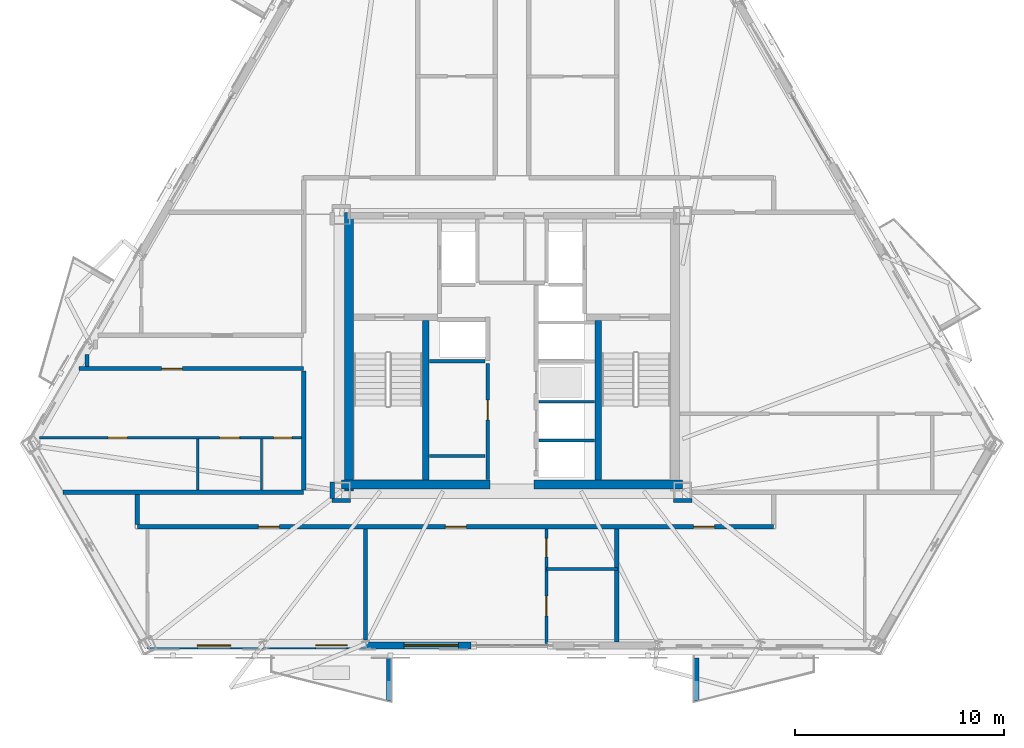
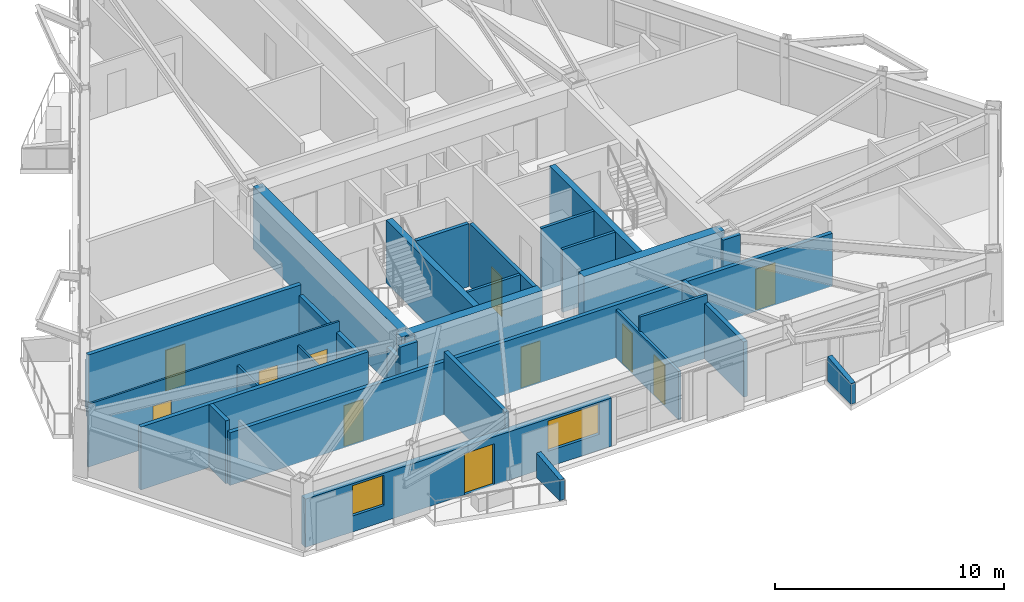
# One storey, part 9 of 16: 29 walls, 11 doors, 2 windows, 13 openings.
"""IFC4 building model written with IfcOpenShell, lengths in metres."""

from ifc_helpers import new_model, si_unit, direction, frame, frame_2d, origin, place, context, subcontext, project, spatial, polyline, rectangle, outline, extrude, material, layer, layer_set, type_object, element, fill, save


model = new_model("IFC4")

# Units and contexts
model_context = context("Model", 3, precision=1e-05, world=origin(), true_north=direction((0.0, 1.0)))
body_context = subcontext(model_context, "Body", "Model", "MODEL_VIEW")
ifc_project = project(units=[si_unit("LENGTHUNIT", "METRE"), si_unit("AREAUNIT", "SQUARE_METRE"), si_unit("VOLUMEUNIT", "CUBIC_METRE"), si_unit("PLANEANGLEUNIT", "RADIAN"), si_unit("MASSUNIT", "GRAM", prefix="KILO")], contexts=[model_context])

# Site, building, storey
site_placement = place(None, origin())
site = spatial("IfcSite", under=ifc_project, at=site_placement, CompositionType="ELEMENT")
building_placement = place(site_placement, origin())
building = spatial("IfcBuilding", under=site, at=building_placement, Name="Oramaril Tower", CompositionType="ELEMENT")
storey_placement = place(building_placement, frame((0.0, 0.0, 115.800048828125)))
storey = spatial("IfcBuildingStorey", under=building, at=storey_placement, Name="L30", CompositionType="ELEMENT", Elevation=115.800048828125)

# Wall, openings, door, windows
ifc_material_1 = material(Name="Warm Cream Limestone", Category="masonry")
ifc_layer_1 = layer(ifc_material_1, 0.340087890625)
ifc_layer_set_1 = layer_set([ifc_layer_1], Name="WT-EXT34")
wall_type_1 = type_object("IfcWallType", Name="WT-EXT34", PredefinedType="SOLIDWALL", material=ifc_layer_set_1)
wall_1_placement = place(storey_placement, frame((20.0869140625, 3.62939453125, 0.0), z_axis=(0.0, 0.0, 1.0), x_axis=(1.0, 0.0, 0.0)))
wall_1 = element("IfcWall", 1, at=wall_1_placement, inside=storey, type_object=wall_type_1, Name="L30 Tower Limestone Facade Wall 2L", PredefinedType="SOLIDWALL", context=body_context, shape_type="SweptSolid", body=[
    extrude(rectangle(XDim=15.463134765625, YDim=0.340087890625, at=frame_2d((7.7314453125, 0.0))), origin(), (0.0, 0.0, 1.0), 2.577880859375),
])
opening_1_placement = place(wall_1_placement, frame((8.034423828125, 0.0, 0.0)))
opening_1 = element("IfcOpeningElement", 2, at=opening_1_placement, cuts=wall_1, Name="Opening D-L30-BAL-S1", PredefinedType="OPENING", context=body_context, shape_type="SweptSolid", body=[
    extrude(rectangle(XDim=1.5, YDim=2.199951171875, at=frame_2d((0.75, 1.10009765625))), frame((0.0, 0.169921875, 0.0), z_axis=(0.0, -1.0, 0.0), x_axis=(1.0, 0.0, 0.0)), (0.0, 0.0, 1.0), 0.340087890625),
])
opening_2_placement = place(wall_1_placement, frame((2.37890625, 0.0, 0.85009765625)))
opening_2 = element("IfcOpeningElement", 3, at=opening_2_placement, cuts=wall_1, Name="Opening WN-07", PredefinedType="OPENING", context=body_context, shape_type="SweptSolid", body=[
    extrude(rectangle(XDim=1.60009765625, YDim=1.617919921875, at=frame_2d((0.800048828125, 0.80908203125))), frame((0.0, 0.169921875, 0.0), z_axis=(0.0, -1.0, 0.0), x_axis=(1.0, 0.0, 0.0)), (0.0, 0.0, 1.0), 0.340087890625),
])
opening_3_placement = place(wall_1_placement, frame((12.254638671875, 0.0, 0.85009765625)))
opening_3 = element("IfcOpeningElement", 4, at=opening_3_placement, cuts=wall_1, Name="Opening WN-02", PredefinedType="OPENING", context=body_context, shape_type="SweptSolid", body=[
    extrude(rectangle(XDim=2.60009765625, YDim=1.617919921875, at=frame_2d((1.300048828125, 0.80908203125))), frame((0.0, 0.169921875, 0.0), z_axis=(0.0, -1.0, 0.0), x_axis=(1.0, 0.0, 0.0)), (0.0, 0.0, 1.0), 0.340087890625),
])
ifc_material_2 = material(Name="Anodised Aluminium 6063-T6", Category="aluminium")
door_type_1 = type_object("IfcDoorType", Name="DT-BAL", OperationType="NOTDEFINED", PredefinedType="DOOR", material=ifc_material_2)
door_1_placement = place(opening_1_placement, origin())
door_1 = element("IfcDoor", 5, at=door_1_placement, inside=storey, type_object=door_type_1, Name="L30 Balcony Glazed Door L30-BAL-S1", OperationType="SINGLE_SWING_LEFT", OverallHeight=2.199951171875, OverallWidth=1.5, PredefinedType="DOOR", context=body_context, shape_type="SweptSolid", body=[
    extrude(rectangle(XDim=1.5, YDim=2.199951171875, at=frame_2d((0.75, 1.10009765625))), frame((0.0, 0.02490234375, 0.0), z_axis=(0.0, -1.0, 0.0), x_axis=(1.0, 0.0, 0.0)), (0.0, 0.0, 1.0), 0.050048828125),
])
fill(opening_1, door_1)
ifc_material_3 = material(Name="Coastal Low-E Insulated Glass", Category="glass")
window_type_1 = type_object("IfcWindowType", Name="WNT-02", PartitioningType="SINGLE_PANEL", PredefinedType="WINDOW", material=ifc_material_3)
window_1_placement = place(opening_3_placement, origin())
window_1 = element("IfcWindow", 6, at=window_1_placement, inside=storey, type_object=window_type_1, Name="L30 Chicago Bay Window WN-02", OverallHeight=1.617919921875, OverallWidth=2.60009765625, PartitioningType="SINGLE_PANEL", PredefinedType="WINDOW", context=body_context, shape_type="SweptSolid", body=[
    extrude(rectangle(XDim=2.60009765625, YDim=1.617919921875, at=frame_2d((1.300048828125, 0.80908203125))), frame((0.0, 0.030029296875, 0.0), z_axis=(0.0, -1.0, 0.0), x_axis=(1.0, 0.0, 0.0)), (0.0, 0.0, 1.0), 0.06005859375),
])
fill(opening_3, window_1)
ifc_material_4 = material(Name="Coastal Low-E Insulated Glass", Category="glass")
window_type_2 = type_object("IfcWindowType", Name="WNT-07", PartitioningType="SINGLE_PANEL", PredefinedType="WINDOW", material=ifc_material_4)
window_2_placement = place(opening_2_placement, origin())
window_2 = element("IfcWindow", 7, at=window_2_placement, inside=storey, type_object=window_type_2, Name="L30 Chicago Bay Window WN-07", OverallHeight=1.617919921875, OverallWidth=1.60009765625, PartitioningType="SINGLE_PANEL", PredefinedType="WINDOW", context=body_context, shape_type="SweptSolid", body=[
    extrude(rectangle(XDim=1.60009765625, YDim=1.617919921875, at=frame_2d((0.800048828125, 0.80908203125))), frame((0.0, 0.030029296875, 0.0), z_axis=(0.0, -1.0, 0.0), x_axis=(1.0, 0.0, 0.0)), (0.0, 0.0, 1.0), 0.06005859375),
])
fill(opening_2, window_2)

# Walls
ifc_material_5 = material(Name="Concrete C40/50", Category="concrete")
ifc_layer_2 = layer(ifc_material_5, 0.22998046875)
ifc_layer_set_2 = layer_set([ifc_layer_2], Name="WT-PRP23")
wall_type_2 = type_object("IfcWallType", Name="WT-PRP23", PredefinedType="PARAPET", material=ifc_layer_set_2)
for number, where, z_axis, x_axis, name in (
    (8, (31.6162109375, 3.03125, 0.0), (0.0, 0.0, 1.0), (0.0, -1.0, 0.0), "L30 Trapezoidal Balcony Frame Cheek L30-BAL-S1-R"),
    (9, (46.30859375, 3.03125, 0.0), (0.0, 0.0, 1.0), (0.0, -1.0, 0.0), "L30 Trapezoidal Balcony Frame Cheek L30-BAL-S2-L"),
):
    element("IfcWall", number, at=place(storey_placement, frame(where, z_axis=z_axis, x_axis=x_axis)), inside=storey, type_object=wall_type_2, Name=name, PredefinedType="PARAPET", context=body_context, shape_type="SweptSolid", body=[
        extrude(outline(polyline([(0.0, 0.0), (2.0419921875, 0.0), (2.0419921875, 1.099853515625), (0.0, 1.320068359375), (0.0, 0.0)])), frame((0.0, 0.114990234375, 0.0), z_axis=(0.0, -1.0, 0.0), x_axis=(1.0, 0.0, 0.0)), (0.0, 0.0, 1.0), 0.22998046875),
    ])

# Wall, openings, doors
ifc_material_6 = material(Name="Acoustic Gypsum Board Partition")
ifc_layer_3 = layer(ifc_material_6, 0.10009765625)
ifc_layer_set_3 = layer_set([ifc_layer_3], Name="WT-PT10")
wall_type_3 = type_object("IfcWallType", Name="WT-PT10", PredefinedType="PARTITIONING", material=ifc_layer_set_3)
wall_2_placement = place(storey_placement, frame((14.92138671875, 13.550048828125, 0.0), z_axis=(0.0, 0.0, 1.0), x_axis=(1.0, 0.0, 0.0)))
wall_2 = element("IfcWall", 10, at=wall_2_placement, inside=storey, type_object=wall_type_3, Name="L30 Interior Partition PT-10", PredefinedType="PARTITIONING", context=body_context, shape_type="SweptSolid", body=[
    extrude(rectangle(XDim=12.6787109375, YDim=0.10009765625, at=frame_2d((6.33935546875, 0.0))), origin(), (0.0, 0.0, 1.0), 3.35986328125),
])
opening_4_placement = place(wall_2_placement, frame((3.2822265625, 0.0, 0.0)))
opening_4 = element("IfcOpeningElement", 11, at=opening_4_placement, cuts=wall_2, Name="Opening D-L30-04", PredefinedType="OPENING", context=body_context, shape_type="SweptSolid", body=[
    extrude(rectangle(XDim=0.919921875, YDim=2.1201171875, at=frame_2d((0.4599609375, 1.06005859375))), frame((0.0, 0.050048828125, 0.0), z_axis=(0.0, -1.0, 0.0), x_axis=(1.0, 0.0, 0.0)), (0.0, 0.0, 1.0), 0.10009765625),
])
opening_5_placement = place(wall_2_placement, frame((8.615234375, 0.0, 0.0)))
opening_5 = element("IfcOpeningElement", 12, at=opening_5_placement, cuts=wall_2, Name="Opening D-L30-05", PredefinedType="OPENING", context=body_context, shape_type="SweptSolid", body=[
    extrude(rectangle(XDim=0.949951171875, YDim=2.10009765625, at=frame_2d((0.47509765625, 1.050048828125))), frame((0.0, 0.050048828125, 0.0), z_axis=(0.0, -1.0, 0.0), x_axis=(1.0, 0.0, 0.0)), (0.0, 0.0, 1.0), 0.10009765625),
])
opening_6_placement = place(wall_2_placement, frame((11.197021484375, 0.0, 0.0)))
opening_6 = element("IfcOpeningElement", 13, at=opening_6_placement, cuts=wall_2, Name="Opening D-L30-06", PredefinedType="OPENING", context=body_context, shape_type="SweptSolid", body=[
    extrude(rectangle(XDim=0.8798828125, YDim=2.080078125, at=frame_2d((0.43994140625, 1.0400390625))), frame((0.0, 0.050048828125, 0.0), z_axis=(0.0, -1.0, 0.0), x_axis=(1.0, 0.0, 0.0)), (0.0, 0.0, 1.0), 0.10009765625),
])
ifc_material_7 = material(Name="FSC Brazilian Freijo Hardwood", Category="wood")
door_type_2 = type_object("IfcDoorType", Name="DT-BATH", OperationType="NOTDEFINED", PredefinedType="DOOR", material=ifc_material_7)
door_2_placement = place(opening_6_placement, origin())
door_2 = element("IfcDoor", 14, at=door_2_placement, inside=storey, type_object=door_type_2, Name="L30 Flat L30-U4 Bathroom Door D-L30-06", OperationType="SINGLE_SWING_RIGHT", OverallHeight=2.080078125, OverallWidth=0.8798828125, PredefinedType="DOOR", context=body_context, shape_type="SweptSolid", body=[
    extrude(rectangle(XDim=0.8798828125, YDim=2.080078125, at=frame_2d((0.43994140625, 1.0400390625))), frame((0.0, 0.02490234375, 0.0), z_axis=(0.0, -1.0, 0.0), x_axis=(1.0, 0.0, 0.0)), (0.0, 0.0, 1.0), 0.050048828125),
])
fill(opening_6, door_2)
ifc_material_8 = material(Name="FSC Brazilian Freijo Hardwood", Category="wood")
door_type_3 = type_object("IfcDoorType", Name="DT-BED", OperationType="NOTDEFINED", PredefinedType="DOOR", material=ifc_material_8)
door_3_placement = place(opening_4_placement, origin())
door_3 = element("IfcDoor", 15, at=door_3_placement, inside=storey, type_object=door_type_3, Name="L30 Flat L30-U4 Master Bedroom Door D-L30-04", OperationType="SINGLE_SWING_RIGHT", OverallHeight=2.1201171875, OverallWidth=0.919921875, PredefinedType="DOOR", context=body_context, shape_type="SweptSolid", body=[
    extrude(rectangle(XDim=0.919921875, YDim=2.1201171875, at=frame_2d((0.4599609375, 1.06005859375))), frame((0.0, 0.02490234375, 0.0), z_axis=(0.0, -1.0, 0.0), x_axis=(1.0, 0.0, 0.0)), (0.0, 0.0, 1.0), 0.050048828125),
])
fill(opening_4, door_3)
ifc_material_9 = material(Name="FSC Brazilian Freijo Hardwood", Category="wood")
door_type_4 = type_object("IfcDoorType", Name="DT-STDY", OperationType="NOTDEFINED", PredefinedType="DOOR", material=ifc_material_9)
door_4_placement = place(opening_5_placement, origin())
door_4 = element("IfcDoor", 16, at=door_4_placement, inside=storey, type_object=door_type_4, Name="L30 Flat L30-U4 Kitchen Door D-L30-05", OperationType="SINGLE_SWING_LEFT", OverallHeight=2.10009765625, OverallWidth=0.949951171875, PredefinedType="DOOR", context=body_context, shape_type="SweptSolid", body=[
    extrude(rectangle(XDim=0.949951171875, YDim=2.10009765625, at=frame_2d((0.47509765625, 1.050048828125))), frame((0.0, 0.02490234375, 0.0), z_axis=(0.0, -1.0, 0.0), x_axis=(1.0, 0.0, 0.0)), (0.0, 0.0, 1.0), 0.050048828125),
])
fill(opening_5, door_4)

# Walls
wall_3_placement = place(storey_placement, frame((25.5400390625, 11.053955078125, 0.0), z_axis=(0.0, 0.0, 1.0), x_axis=(0.0, 1.0, 0.0)))
element("IfcWall", 17, at=wall_3_placement, inside=storey, type_object=wall_type_3, Name="L30 Interior Partition PT-10", PredefinedType="PARTITIONING", context=body_context, shape_type="SweptSolid", body=[
    extrude(rectangle(XDim=2.442138671875, YDim=0.10009765625, at=frame_2d((1.22119140625, 0.0))), origin(), (0.0, 0.0, 1.0), 2.81396484375),
])
ifc_material_10 = material(Name="Acoustic Gypsum Board Partition")
ifc_layer_4 = layer(ifc_material_10, 0.1201171875)
ifc_layer_set_4 = layer_set([ifc_layer_4], Name="WT-PT12")
wall_type_4 = type_object("IfcWallType", Name="WT-PT12", PredefinedType="PARTITIONING", material=ifc_layer_set_4)
wall_4_placement = place(storey_placement, frame((22.489990234375, 11.053955078125, 0.0), z_axis=(0.0, 0.0, 1.0), x_axis=(0.0, 1.0, 0.0)))
element("IfcWall", 18, at=wall_4_placement, inside=storey, type_object=wall_type_4, Name="L30 Interior Partition PT-12", PredefinedType="PARTITIONING", context=body_context, shape_type="SweptSolid", body=[
    extrude(rectangle(XDim=2.442138671875, YDim=0.1201171875, at=frame_2d((1.22119140625, 0.0))), origin(), (0.0, 0.0, 1.0), 2.81396484375),
])
ifc_material_11 = material(Name="Acoustic Gypsum Board Partition")
ifc_layer_5 = layer(ifc_material_11, 0.139892578125)
ifc_layer_set_5 = layer_set([ifc_layer_5], Name="WT-PT14")
wall_type_5 = type_object("IfcWallType", Name="WT-PT14", PredefinedType="PARTITIONING", material=ifc_layer_set_5)
for number, where, z_axis, x_axis, name in (
    (19, (33.56005859375, 12.679931640625, 0.0), (0.0, 0.0, 1.0), (1.0, 0.0, 0.0), "L30 Freed Shaft South Closure"),
    (20, (38.780029296875, 13.419921875, 0.0), (0.0, 0.0, 1.0), (1.0, 0.0, 0.0), "L30 East Lift Divider"),
    (21, (38.780029296875, 15.27001953125, 0.0), (0.0, 0.0, 1.0), (1.0, 0.0, 0.0), "L30 East Lift Divider"),
):
    element("IfcWall", number, at=place(storey_placement, frame(where, z_axis=z_axis, x_axis=x_axis)), inside=storey, type_object=wall_type_5, Name=name, PredefinedType="PARTITIONING", context=body_context, shape_type="SweptSolid", body=[
        extrude(rectangle(XDim=2.659912109375, YDim=0.139892578125, at=frame_2d((1.330078125, 0.0))), origin(), (0.0, 0.0, 1.0), 3.35986328125),
    ])
wall_5_placement = place(storey_placement, frame((39.139892578125, 7.27001953125, 0.0), z_axis=(0.0, 0.0, 1.0), x_axis=(1.0, 0.0, 0.0)))
element("IfcWall", 22, at=wall_5_placement, inside=storey, type_object=wall_type_5, Name="L30 Interior Partition PT-14", PredefinedType="PARTITIONING", context=body_context, shape_type="SweptSolid", body=[
    extrude(rectangle(XDim=3.41015625, YDim=0.139892578125, at=frame_2d((1.705078125, 0.0))), origin(), (0.0, 0.0, 1.0), 3.35986328125),
])

# Wall, openings, doors
wall_6_placement = place(storey_placement, frame((39.139892578125, 3.723388671875, 0.0), z_axis=(0.0, 0.0, 1.0), x_axis=(0.0, 1.0, 0.0)))
wall_6 = element("IfcWall", 23, at=wall_6_placement, inside=storey, type_object=wall_type_5, Name="L30 Interior Partition PT-14", PredefinedType="PARTITIONING", context=body_context, shape_type="SweptSolid", body=[
    extrude(rectangle(XDim=5.47265625, YDim=0.139892578125, at=frame_2d((2.736328125, 0.0))), origin(), (0.0, 0.0, 1.0), 2.577880859375),
])
opening_7_placement = place(wall_6_placement, frame((1.3125, 0.0, 0.0)))
opening_7 = element("IfcOpeningElement", 24, at=opening_7_placement, cuts=wall_6, Name="Opening D-L30-24", PredefinedType="OPENING", context=body_context, shape_type="SweptSolid", body=[
    extrude(rectangle(XDim=0.949951171875, YDim=2.10009765625, at=frame_2d((0.47509765625, 1.050048828125))), frame((0.0, 0.06982421875, 0.0), z_axis=(0.0, -1.0, 0.0), x_axis=(1.0, 0.0, 0.0)), (0.0, 0.0, 1.0), 0.139892578125),
])
opening_8_placement = place(wall_6_placement, frame((4.1376953125, 0.0, 0.0)))
opening_8 = element("IfcOpeningElement", 25, at=opening_8_placement, cuts=wall_6, Name="Opening D-L30-25", PredefinedType="OPENING", context=body_context, shape_type="SweptSolid", body=[
    extrude(rectangle(XDim=0.8798828125, YDim=2.080078125, at=frame_2d((0.43994140625, 1.0400390625))), frame((0.0, 0.06982421875, 0.0), z_axis=(0.0, -1.0, 0.0), x_axis=(1.0, 0.0, 0.0)), (0.0, 0.0, 1.0), 0.139892578125),
])
door_5_placement = place(opening_8_placement, origin())
door_5 = element("IfcDoor", 26, at=door_5_placement, inside=storey, type_object=door_type_2, Name="L30 Flat L30-U2 Bathroom Door D-L30-25", OperationType="SINGLE_SWING_LEFT", OverallHeight=2.080078125, OverallWidth=0.8798828125, PredefinedType="DOOR", context=body_context, shape_type="SweptSolid", body=[
    extrude(rectangle(XDim=0.8798828125, YDim=2.080078125, at=frame_2d((0.43994140625, 1.0400390625))), frame((0.0, 0.02490234375, 0.0), z_axis=(0.0, -1.0, 0.0), x_axis=(1.0, 0.0, 0.0)), (0.0, 0.0, 1.0), 0.050048828125),
])
fill(opening_8, door_5)
door_6_placement = place(opening_7_placement, origin())
door_6 = element("IfcDoor", 27, at=door_6_placement, inside=storey, type_object=door_type_4, Name="L30 Flat L30-U2 Kitchen Door D-L30-24", OperationType="SINGLE_SWING_RIGHT", OverallHeight=2.10009765625, OverallWidth=0.949951171875, PredefinedType="DOOR", context=body_context, shape_type="SweptSolid", body=[
    extrude(rectangle(XDim=0.949951171875, YDim=2.10009765625, at=frame_2d((0.47509765625, 1.050048828125))), frame((0.0, 0.02490234375, 0.0), z_axis=(0.0, -1.0, 0.0), x_axis=(1.0, 0.0, 0.0)), (0.0, 0.0, 1.0), 0.050048828125),
])
fill(opening_7, door_6)

# Wall
ifc_material_12 = material(Name="Autoclaved Cellular Concrete Block", Category="concrete")
ifc_layer_6 = layer(ifc_material_12, 0.179931640625)
ifc_layer_set_6 = layer_set([ifc_layer_6], Name="WT-PT18")
wall_type_6 = type_object("IfcWallType", Name="WT-PT18", PredefinedType="PARTITIONING", material=ifc_layer_set_6)
wall_7_placement = place(storey_placement, frame((33.56005859375, 17.199951171875, 0.0), z_axis=(0.0, 0.0, 1.0), x_axis=(1.0, 0.0, 0.0)))
element("IfcWall", 28, at=wall_7_placement, inside=storey, type_object=wall_type_6, Name="L30 High-Rise Lift H1 South Wall", PredefinedType="PARTITIONING", context=body_context, shape_type="SweptSolid", body=[
    extrude(rectangle(XDim=2.659912109375, YDim=0.179931640625, at=frame_2d((1.330078125, 0.0))), origin(), (0.0, 0.0, 1.0), 3.35986328125),
])

# Wall, opening, door
wall_8_placement = place(storey_placement, frame((36.340087890625, 11.550048828125, 0.0), z_axis=(0.0, 0.0, 1.0), x_axis=(0.0, 1.0, 0.0)))
wall_8 = element("IfcWall", 29, at=wall_8_placement, inside=storey, type_object=wall_type_6, Name="L30 Freed Shaft Study East Wall", PredefinedType="PARTITIONING", context=body_context, shape_type="SweptSolid", body=[
    extrude(rectangle(XDim=5.550048828125, YDim=0.179931640625, at=frame_2d((2.77490234375, 0.0))), origin(), (0.0, 0.0, 1.0), 3.35986328125),
])
opening_9_placement = place(wall_8_placement, frame((2.85009765625, 0.0, 0.0)))
opening_9 = element("IfcOpeningElement", 30, at=opening_9_placement, cuts=wall_8, Name="Opening D-L30-FL1", PredefinedType="OPENING", context=body_context, shape_type="SweptSolid", body=[
    extrude(rectangle(XDim=0.949951171875, YDim=2.10009765625, at=frame_2d((0.47509765625, 1.050048828125))), frame((0.0, 0.08984375, 0.0), z_axis=(0.0, -1.0, 0.0), x_axis=(1.0, 0.0, 0.0)), (0.0, 0.0, 1.0), 0.179931640625),
])
door_7_placement = place(opening_9_placement, origin())
door_7 = element("IfcDoor", 31, at=door_7_placement, inside=storey, type_object=door_type_4, Name="L30 L30 Residents Library Study Door", OperationType="SINGLE_SWING_LEFT", OverallHeight=2.10009765625, OverallWidth=0.949951171875, PredefinedType="DOOR", context=body_context, shape_type="SweptSolid", body=[
    extrude(rectangle(XDim=0.949951171875, YDim=2.10009765625, at=frame_2d((0.47509765625, 1.050048828125))), frame((0.0, 0.02490234375, 0.0), z_axis=(0.0, -1.0, 0.0), x_axis=(1.0, 0.0, 0.0)), (0.0, 0.0, 1.0), 0.050048828125),
])
fill(opening_9, door_7)

# Wall, openings, doors
ifc_material_13 = material(Name="Autoclaved Cellular Concrete Block", Category="concrete")
ifc_layer_7 = layer(ifc_material_13, 0.199951171875)
ifc_layer_set_7 = layer_set([ifc_layer_7], Name="WT-PT20")
wall_type_7 = type_object("IfcWallType", Name="WT-PT20", PredefinedType="PARTITIONING", material=ifc_layer_set_7)
wall_9_placement = place(storey_placement, frame((19.60009765625, 9.300048828125, 0.0), z_axis=(0.0, 0.0, 1.0), x_axis=(1.0, 0.0, 0.0)))
wall_9 = element("IfcWall", 32, at=wall_9_placement, inside=storey, type_object=wall_type_7, Name="L30 Interior Partition PT-20", PredefinedType="PARTITIONING", context=body_context, shape_type="SweptSolid", body=[
    extrude(rectangle(XDim=30.39990234375, YDim=0.199951171875, at=frame_2d((15.199951171875, 0.0))), origin(), (0.0, 0.0, 1.0), 2.81396484375),
])
opening_10_placement = place(wall_9_placement, frame((5.786865234375, 0.0, 0.0)))
opening_10 = element("IfcOpeningElement", 33, at=opening_10_placement, cuts=wall_9, Name="Opening D-L30-01", PredefinedType="OPENING", context=body_context, shape_type="SweptSolid", body=[
    extrude(rectangle(XDim=1.0, YDim=2.179931640625, at=frame_2d((0.5, 1.08984375))), frame((0.0, 0.10009765625, 0.0), z_axis=(0.0, -1.0, 0.0), x_axis=(1.0, 0.0, 0.0)), (0.0, 0.0, 1.0), 0.199951171875),
])
opening_11_placement = place(wall_9_placement, frame((14.719970703125, 0.0, 0.0)))
opening_11 = element("IfcOpeningElement", 34, at=opening_11_placement, cuts=wall_9, Name="Opening D-L30-02", PredefinedType="OPENING", context=body_context, shape_type="SweptSolid", body=[
    extrude(rectangle(XDim=1.0, YDim=2.179931640625, at=frame_2d((0.5, 1.08984375))), frame((0.0, 0.10009765625, 0.0), z_axis=(0.0, -1.0, 0.0), x_axis=(1.0, 0.0, 0.0)), (0.0, 0.0, 1.0), 0.199951171875),
])
opening_12_placement = place(wall_9_placement, frame((26.576416015625, 0.0, 0.0)))
opening_12 = element("IfcOpeningElement", 35, at=opening_12_placement, cuts=wall_9, Name="Opening D-L30-03", PredefinedType="OPENING", context=body_context, shape_type="SweptSolid", body=[
    extrude(rectangle(XDim=1.0, YDim=2.179931640625, at=frame_2d((0.5, 1.08984375))), frame((0.0, 0.10009765625, 0.0), z_axis=(0.0, -1.0, 0.0), x_axis=(1.0, 0.0, 0.0)), (0.0, 0.0, 1.0), 0.199951171875),
])
ifc_material_14 = material(Name="FSC Brazilian Freijo Hardwood", Category="wood")
door_type_5 = type_object("IfcDoorType", Name="DT-APT", OperationType="NOTDEFINED", PredefinedType="DOOR", material=ifc_material_14)
door_8_placement = place(opening_10_placement, origin())
door_8 = element("IfcDoor", 36, at=door_8_placement, inside=storey, type_object=door_type_5, Name="L30 Flat L30-U1 Kitchen and Studio Apartment Door D-L30-01", OperationType="SINGLE_SWING_LEFT", OverallHeight=2.179931640625, OverallWidth=1.0, PredefinedType="DOOR", context=body_context, shape_type="SweptSolid", body=[
    extrude(rectangle(XDim=1.0, YDim=2.179931640625, at=frame_2d((0.5, 1.08984375))), frame((0.0, 0.02490234375, 0.0), z_axis=(0.0, -1.0, 0.0), x_axis=(1.0, 0.0, 0.0)), (0.0, 0.0, 1.0), 0.050048828125),
])
fill(opening_10, door_8)
door_9_placement = place(opening_11_placement, origin())
door_9 = element("IfcDoor", 37, at=door_9_placement, inside=storey, type_object=door_type_5, Name="L30 Flat L30-U2 Studio Apartment Door D-L30-02", OperationType="SINGLE_SWING_RIGHT", OverallHeight=2.179931640625, OverallWidth=1.0, PredefinedType="DOOR", context=body_context, shape_type="SweptSolid", body=[
    extrude(rectangle(XDim=1.0, YDim=2.179931640625, at=frame_2d((0.5, 1.08984375))), frame((0.0, 0.02490234375, 0.0), z_axis=(0.0, -1.0, 0.0), x_axis=(1.0, 0.0, 0.0)), (0.0, 0.0, 1.0), 0.050048828125),
])
fill(opening_11, door_9)
door_10_placement = place(opening_12_placement, origin())
door_10 = element("IfcDoor", 38, at=door_10_placement, inside=storey, type_object=door_type_5, Name="L30 Flat L30-U3 Kitchen and Studio Apartment Door D-L30-03", OperationType="SINGLE_SWING_LEFT", OverallHeight=2.179931640625, OverallWidth=1.0, PredefinedType="DOOR", context=body_context, shape_type="SweptSolid", body=[
    extrude(rectangle(XDim=1.0, YDim=2.179931640625, at=frame_2d((0.5, 1.08984375))), frame((0.0, 0.02490234375, 0.0), z_axis=(0.0, -1.0, 0.0), x_axis=(1.0, 0.0, 0.0)), (0.0, 0.0, 1.0), 0.050048828125),
])
fill(opening_12, door_10)

# Walls
for number, where, z_axis, x_axis, name in (
    (39, (28.905029296875, 10.550048828125, 0.0), (0.0, 0.0, 1.0), (1.0, 0.0, 0.0), "L30 Interior Partition PT-20"),
    (40, (45.205078125, 10.550048828125, 0.0), (0.0, 0.0, 1.0), (1.0, 0.0, 0.0), "L30 Interior Partition PT-20"),
):
    element("IfcWall", number, at=place(storey_placement, frame(where, z_axis=z_axis, x_axis=x_axis)), inside=storey, type_object=wall_type_7, Name=name, PredefinedType="PARTITIONING", context=body_context, shape_type="SweptSolid", body=[
        extrude(rectangle(XDim=0.889892578125, YDim=0.199951171875, at=frame_2d((0.44482421875, 0.0))), origin(), (0.0, 0.0, 1.0), 3.35986328125),
    ])
wall_10_placement = place(storey_placement, frame((16.061279296875, 10.949951171875, 0.0), z_axis=(0.0, 0.0, 1.0), x_axis=(1.0, 0.0, 0.0)))
element("IfcWall", 41, at=wall_10_placement, inside=storey, type_object=wall_type_7, Name="L30 Interior Partition PT-20", PredefinedType="PARTITIONING", context=body_context, shape_type="SweptSolid", body=[
    extrude(rectangle(XDim=11.48876953125, YDim=0.199951171875, at=frame_2d((5.744384765625, 0.0))), origin(), (0.0, 0.0, 1.0), 3.35986328125),
])

# Wall, opening, door
wall_11_placement = place(storey_placement, frame((16.805908203125, 16.85009765625, 0.0), z_axis=(0.0, 0.0, 1.0), x_axis=(1.0, 0.0, 0.0)))
wall_11 = element("IfcWall", 42, at=wall_11_placement, inside=storey, type_object=wall_type_7, Name="L30 Interior Partition PT-20", PredefinedType="PARTITIONING", context=body_context, shape_type="SweptSolid", body=[
    extrude(rectangle(XDim=10.744140625, YDim=0.199951171875, at=frame_2d((5.3720703125, 0.0))), origin(), (0.0, 0.0, 1.0), 3.35986328125),
])
opening_13_placement = place(wall_11_placement, frame((3.9541015625, 0.0, 0.0)))
opening_13 = element("IfcOpeningElement", 43, at=opening_13_placement, cuts=wall_11, Name="Opening D-L30-10", PredefinedType="OPENING", context=body_context, shape_type="SweptSolid", body=[
    extrude(rectangle(XDim=1.0, YDim=2.179931640625, at=frame_2d((0.5, 1.08984375))), frame((0.0, 0.10009765625, 0.0), z_axis=(0.0, -1.0, 0.0), x_axis=(1.0, 0.0, 0.0)), (0.0, 0.0, 1.0), 0.199951171875),
])
door_11_placement = place(opening_13_placement, origin())
door_11 = element("IfcDoor", 44, at=door_11_placement, inside=storey, type_object=door_type_5, Name="L30 Flat L30-U4 Living and Dining Room Door D-L30-10", OperationType="SINGLE_SWING_RIGHT", OverallHeight=2.179931640625, OverallWidth=1.0, PredefinedType="DOOR", context=body_context, shape_type="SweptSolid", body=[
    extrude(rectangle(XDim=1.0, YDim=2.179931640625, at=frame_2d((0.5, 1.08984375))), frame((0.0, 0.02490234375, 0.0), z_axis=(0.0, -1.0, 0.0), x_axis=(1.0, 0.0, 0.0)), (0.0, 0.0, 1.0), 0.050048828125),
])
fill(opening_13, door_11)

# Walls
wall_12_placement = place(storey_placement, frame((17.199951171875, 16.9541015625, 0.0), z_axis=(0.0, 0.0, 1.0), x_axis=(0.0, 1.0, 0.0)))
element("IfcWall", 45, at=wall_12_placement, inside=storey, type_object=wall_type_7, Name="L30 Interior Partition PT-20", PredefinedType="PARTITIONING", context=body_context, shape_type="SweptSolid", body=[
    extrude(rectangle(XDim=0.57861328125, YDim=0.199951171875, at=frame_2d((0.289306640625, 0.0))), origin(), (0.0, 0.0, 1.0), 2.577880859375),
])
wall_13_placement = place(storey_placement, frame((19.60009765625, 9.404052734375, 0.0), z_axis=(0.0, 0.0, 1.0), x_axis=(0.0, 1.0, 0.0)))
element("IfcWall", 46, at=wall_13_placement, inside=storey, type_object=wall_type_7, Name="L30 Interior Partition PT-20", PredefinedType="PARTITIONING", context=body_context, shape_type="SweptSolid", body=[
    extrude(rectangle(XDim=1.44189453125, YDim=0.199951171875, at=frame_2d((0.720947265625, 0.0))), origin(), (0.0, 0.0, 1.0), 3.35986328125),
])
wall_14_placement = place(storey_placement, frame((27.550048828125, 11.053955078125, 0.0), z_axis=(0.0, 0.0, 1.0), x_axis=(0.0, 1.0, 0.0)))
element("IfcWall", 47, at=wall_14_placement, inside=storey, type_object=wall_type_7, Name="L30 Interior Partition PT-20", PredefinedType="PARTITIONING", context=body_context, shape_type="SweptSolid", body=[
    extrude(rectangle(XDim=5.692138671875, YDim=0.199951171875, at=frame_2d((2.84619140625, 0.0))), origin(), (0.0, 0.0, 1.0), 2.81396484375),
])
wall_15_placement = place(storey_placement, frame((28.909912109375, 10.654052734375, 0.0), z_axis=(0.0, 0.0, 1.0), x_axis=(0.0, 1.0, 0.0)))
element("IfcWall", 48, at=wall_15_placement, inside=storey, type_object=wall_type_7, Name="L30 Interior Partition PT-20", PredefinedType="PARTITIONING", context=body_context, shape_type="SweptSolid", body=[
    extrude(rectangle(XDim=0.785888671875, YDim=0.199951171875, at=frame_2d((0.39306640625, 0.0))), origin(), (0.0, 0.0, 1.0), 2.81396484375),
])
wall_16_placement = place(storey_placement, frame((30.5, 3.88818359375, 0.0), z_axis=(0.0, 0.0, 1.0), x_axis=(0.0, 1.0, 0.0)))
element("IfcWall", 49, at=wall_16_placement, inside=storey, type_object=wall_type_7, Name="L30 Interior Partition PT-20", PredefinedType="PARTITIONING", context=body_context, shape_type="SweptSolid", body=[
    extrude(rectangle(XDim=5.307861328125, YDim=0.199951171875, at=frame_2d((2.65380859375, 0.0))), origin(), (0.0, 0.0, 1.0), 3.35986328125),
])
wall_17_placement = place(storey_placement, frame((42.5, 3.80322265625, 0.0), z_axis=(0.0, 0.0, 1.0), x_axis=(0.0, 1.0, 0.0)))
element("IfcWall", 50, at=wall_17_placement, inside=storey, type_object=wall_type_7, Name="L30 Interior Partition PT-20", PredefinedType="PARTITIONING", context=body_context, shape_type="SweptSolid", body=[
    extrude(rectangle(XDim=5.392822265625, YDim=0.199951171875, at=frame_2d((2.6962890625, 0.0))), origin(), (0.0, 0.0, 1.0), 2.946044921875),
])
ifc_material_15 = material(Name="Concrete C50/60", Category="concrete")
ifc_layer_8 = layer(ifc_material_15, 0.300048828125)
ifc_layer_set_8 = layer_set([ifc_layer_8], Name="WT-SH30")
wall_type_8 = type_object("IfcWallType", Name="WT-SH30", PredefinedType="SHEAR", material=ifc_layer_set_8)
for number, where, z_axis, x_axis, name in (
    (51, (33.3798828125, 11.5400390625, 0.0), (0.0, 0.0, 1.0), (0.0, 1.0, 0.0), "L30 Core Shear Wall CW-ST1E"),
    (52, (41.6201171875, 11.5400390625, 0.0), (0.0, 0.0, 1.0), (0.0, 1.0, 0.0), "L30 Core Shear Wall CW-ST2W"),
):
    element("IfcWall", number, at=place(storey_placement, frame(where, z_axis=z_axis, x_axis=x_axis)), inside=storey, type_object=wall_type_8, Name=name, PredefinedType="SHEAR", context=body_context, shape_type="SweptSolid", body=[
        extrude(rectangle(XDim=7.619873046875, YDim=0.300048828125, at=frame_2d((3.81005859375, 0.0))), origin(), (0.0, 0.0, 1.0), 3.35986328125),
    ])
ifc_material_16 = material(Name="Concrete C50/60", Category="concrete")
ifc_layer_9 = layer(ifc_material_16, 0.449951171875)
ifc_layer_set_9 = layer_set([ifc_layer_9], Name="WT-SH45")
wall_type_9 = type_object("IfcWallType", Name="WT-SH45", PredefinedType="SHEAR", material=ifc_layer_set_9)
wall_18_placement = place(storey_placement, frame((29.715087890625, 11.0, 0.0), z_axis=(0.0, 0.0, 1.0), x_axis=(0.0, 1.0, 0.0)))
element("IfcWall", 53, at=wall_18_placement, inside=storey, type_object=wall_type_9, Name="L30 Core Shear Wall CW-W", PredefinedType="SHEAR", context=body_context, shape_type="SweptSolid", body=[
    extrude(rectangle(XDim=13.300048828125, YDim=0.449951171875, at=frame_2d((6.64990234375, 0.0))), origin(), (0.0, 0.0, 1.0), 3.35986328125),
])
for number, where, z_axis, x_axis, name in (
    (54, (29.35009765625, 11.31494140625, 0.0), (0.0, 0.0, 1.0), (1.0, 0.0, 0.0), "L30 Core Shear Wall CW-SW"),
    (55, (38.550048828125, 11.31494140625, 0.0), (0.0, 0.0, 1.0), (1.0, 0.0, 0.0), "L30 Core Shear Wall CW-SE"),
):
    element("IfcWall", number, at=place(storey_placement, frame(where, z_axis=z_axis, x_axis=x_axis)), inside=storey, type_object=wall_type_9, Name=name, PredefinedType="SHEAR", context=body_context, shape_type="SweptSolid", body=[
        extrude(rectangle(XDim=7.099853515625, YDim=0.449951171875, at=frame_2d((3.5498046875, 0.0))), origin(), (0.0, 0.0, 1.0), 3.35986328125),
    ])

save(model, "model.ifc")
